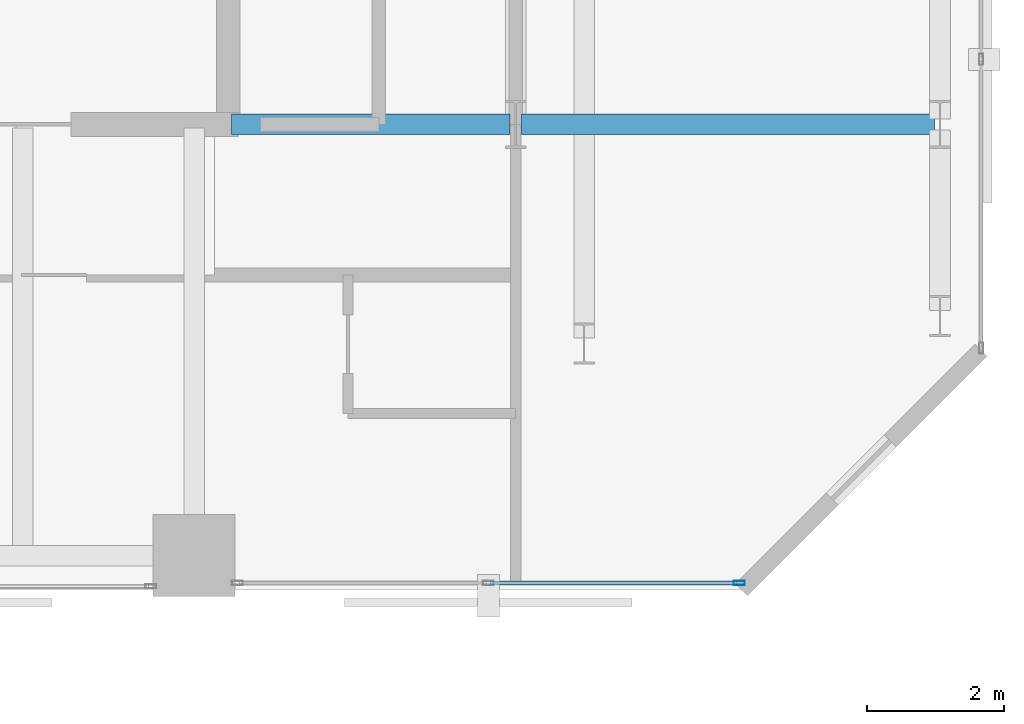
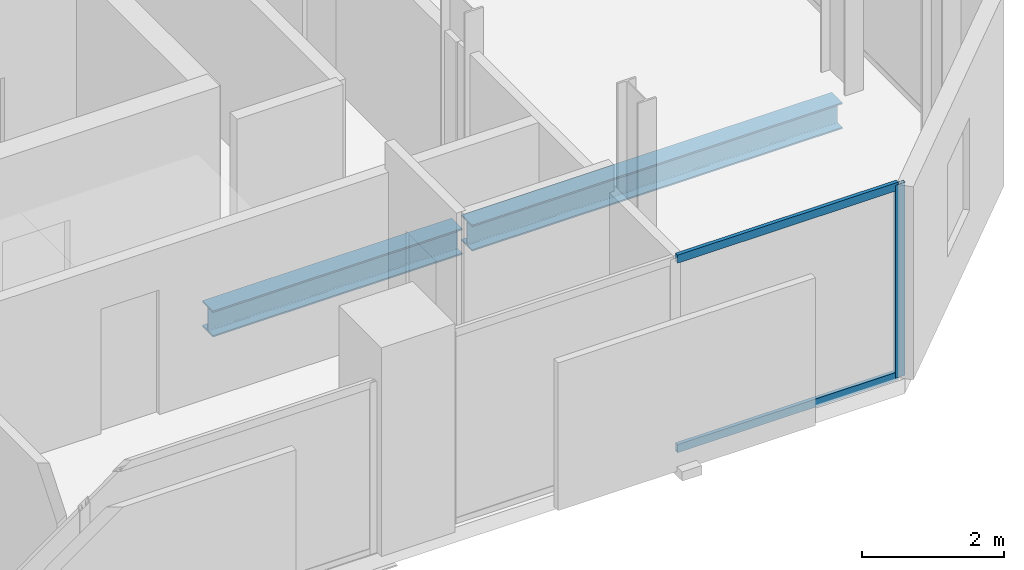
# One storey, part 15 of 32: 3 members, 2 beams, 1 element without a shape of its own.
"""IFC4 building model written with IfcOpenShell, lengths in metres."""

from ifc_helpers import new_model, si_unit, direction, frame, origin, origin_2d, place, context, subcontext, project, spatial, hollow_rectangle, i_section, extrude, material, layer, layer_set, material_profile, profile_set, type_object, element, aggregate, save


model = new_model("IFC4")

# Units and contexts
model_context = context("Model", 3, precision=1e-05, world=origin(), true_north=direction((0.0, 1.0)))
body_context = subcontext(model_context, "Body", "Model", "MODEL_VIEW")
ifc_project = project(units=[si_unit("LENGTHUNIT", "METRE"), si_unit("AREAUNIT", "SQUARE_METRE"), si_unit("VOLUMEUNIT", "CUBIC_METRE"), si_unit("PLANEANGLEUNIT", "RADIAN"), si_unit("MASSUNIT", "GRAM", prefix="KILO")], contexts=[model_context])

# Site, building, storey
site_placement = place(None, origin())
site = spatial("IfcSite", under=ifc_project, at=site_placement, CompositionType="ELEMENT")
building_placement = place(site_placement, origin())
building = spatial("IfcBuilding", under=site, at=building_placement, Name="Catumbela Crestline Tower", CompositionType="ELEMENT")
storey_placement = place(building_placement, frame((0.0, 0.0, 129.6)))
storey = spatial("IfcBuildingStorey", under=building, at=storey_placement, Name="L33", CompositionType="ELEMENT", Elevation=129.6)

# Beams
ifc_material_1 = material(Name="Structural steel S355J2", Category="steel")
ifc_material_profile_1 = material_profile(ifc_material_1, i_section(OverallWidth=0.3, OverallDepth=0.45, WebThickness=0.014, FlangeThickness=0.026, FilletRadius=0.027, at=origin_2d()), Name="HEB 450")
ifc_profile_set_1 = profile_set([ifc_material_profile_1], Name="Structural steel S355J2")
beam_type = type_object("IfcBeamType", Name="BG-HEB450", PredefinedType="BEAM", material=ifc_profile_set_1)
beam_1_placement = place(storey_placement, frame((40.05, 30.8, -0.485), z_axis=(1.0, 0.0, 0.0), x_axis=(0.0, 1.0, 0.0)))
element("IfcBeam", 1, at=beam_1_placement, inside=storey, type_object=beam_type, Name="L33 Beam BM-L33-M10", PredefinedType="BEAM", context=body_context, shape_type="SweptSolid", body=[
    extrude(i_section(OverallWidth=0.3, OverallDepth=0.45, WebThickness=0.014, FlangeThickness=0.026, FilletRadius=0.027, at=origin_2d()), origin(), (0.0, 0.0, 1.0), 4.07),
])
beam_2_placement = place(storey_placement, frame((44.28, 30.8, -0.485), z_axis=(1.0, 0.0, 0.0), x_axis=(0.0, 1.0, 0.0)))
element("IfcBeam", 2, at=beam_2_placement, inside=storey, type_object=beam_type, Name="L33 Beam BM-L33-M11", PredefinedType="BEAM", context=body_context, shape_type="SweptSolid", body=[
    extrude(i_section(OverallWidth=0.3, OverallDepth=0.45, WebThickness=0.014, FlangeThickness=0.026, FilletRadius=0.027, at=origin_2d()), origin(), (0.0, 0.0, 1.0), 6.04),
])

# Curtain wall, members
ifc_material_2 = material(Name="Aluminium alloy AW-6060-T66", Category="aluminium")
ifc_layer = layer(ifc_material_2, 0.18, Name="Aluminium alloy AW-6060-T66")
ifc_layer_set = layer_set([ifc_layer], Name="Aluminium alloy AW-6060-T66")
curtain_wall_type = type_object("IfcCurtainWallType", Name="CWU-Z2", PredefinedType="USERDEFINED", material=ifc_layer_set)
curtain_wall_placement = place(storey_placement, origin())
curtain_wall = element("IfcCurtainWall", 3, at=curtain_wall_placement, inside=storey, type_object=curtain_wall_type, Name="L33 Unitised Curtain Wall CW-L33-E3S2", ObjectType="UNITISED", PredefinedType="USERDEFINED")
ifc_material_profile_2 = material_profile(ifc_material_2, hollow_rectangle(XDim=0.06, YDim=0.16, WallThickness=0.004, at=origin_2d()), Name="ALU 160x60x4")
ifc_profile_set_2 = profile_set([ifc_material_profile_2], Name="Aluminium alloy AW-6060-T66")
member_type_1 = type_object("IfcMemberType", Name="MUL-160X60", PredefinedType="MULLION", material=ifc_profile_set_2)
member_1_placement = place(storey_placement, frame((47.4675, 24.1, 0.0), z_axis=(0.0, 0.0, 1.0), x_axis=(0.0, 1.0, 0.0)))
member_1 = element("IfcMember", 4, at=member_1_placement, type_object=member_type_1, Name="CWU-Z2 mullion 3", PredefinedType="MULLION", context=body_context, shape_type="SweptSolid", body=[
    extrude(hollow_rectangle(XDim=0.06, YDim=0.16, WallThickness=0.004, at=origin_2d()), origin(), (0.0, 0.0, 1.0), 3.33),
])
ifc_material_profile_3 = material_profile(ifc_material_2, hollow_rectangle(XDim=0.06, YDim=0.14, WallThickness=0.004, at=origin_2d()), Name="ALU 140x60x4")
ifc_profile_set_3 = profile_set([ifc_material_profile_3], Name="Aluminium alloy AW-6060-T66")
member_type_2 = type_object("IfcMemberType", Name="TRN-140X60", PredefinedType="USERDEFINED", material=ifc_profile_set_3)
member_2_placement = place(storey_placement, frame((43.8325, 24.1, 0.03), z_axis=(1.0, 0.0, 0.0), x_axis=(0.0, 1.0, 0.0)))
member_2 = element("IfcMember", 5, at=member_2_placement, type_object=member_type_2, Name="CWU-Z2 transom 2.1", ObjectType="TRANSOM", PredefinedType="USERDEFINED", context=body_context, shape_type="SweptSolid", body=[
    extrude(hollow_rectangle(XDim=0.06, YDim=0.14, WallThickness=0.004, at=origin_2d()), origin(), (0.0, 0.0, 1.0), 3.6025),
])
member_3_placement = place(storey_placement, frame((43.8325, 24.1, 3.3), z_axis=(1.0, 0.0, 0.0), x_axis=(0.0, 1.0, 0.0)))
member_3 = element("IfcMember", 6, at=member_3_placement, type_object=member_type_2, Name="CWU-Z2 transom 2.2", ObjectType="TRANSOM", PredefinedType="USERDEFINED", context=body_context, shape_type="SweptSolid", body=[
    extrude(hollow_rectangle(XDim=0.06, YDim=0.14, WallThickness=0.004, at=origin_2d()), origin(), (0.0, 0.0, 1.0), 3.6025),
])
aggregate(curtain_wall, [member_1, member_2, member_3])

save(model, "model.ifc")
